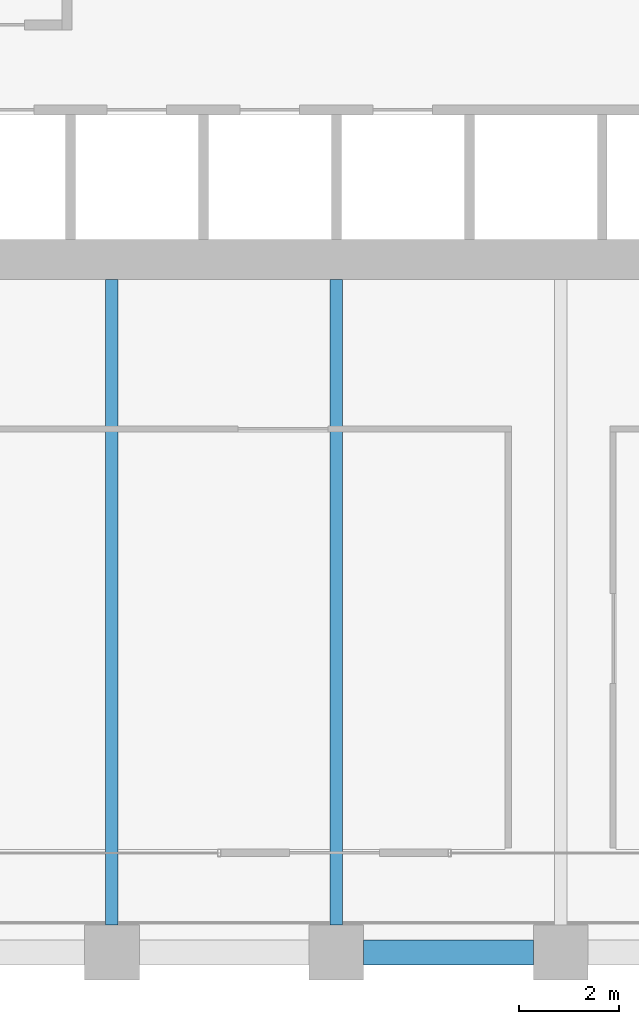
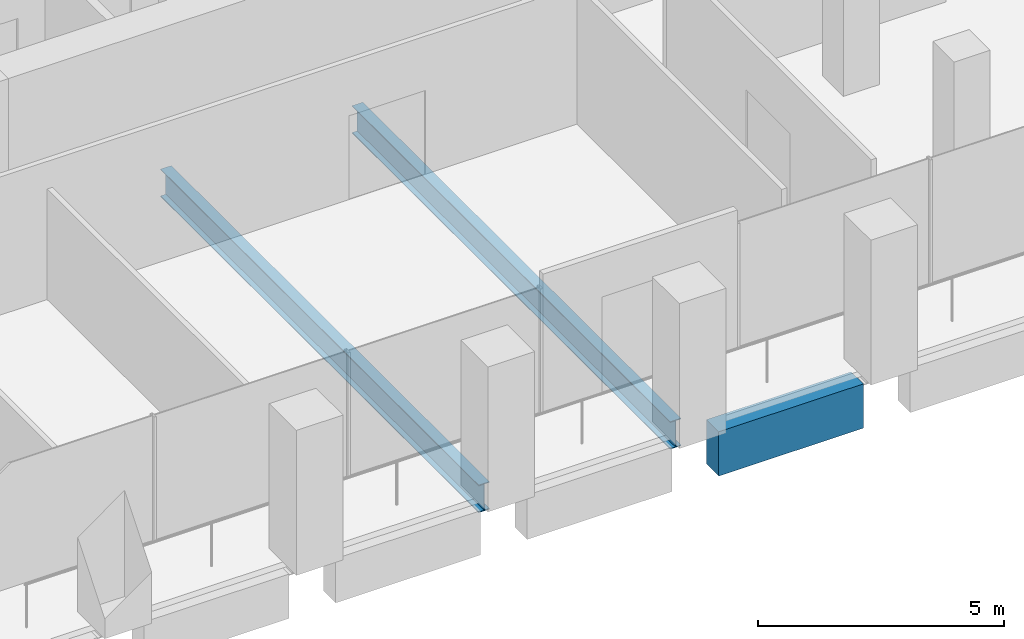
# One storey, part 8 of 54: 3 beams.
"""IFC4 building model written with IfcOpenShell, lengths in metres."""

from ifc_helpers import new_model, si_unit, direction, frame, origin, origin_2d, place, context, subcontext, project, spatial, rectangle, i_section, extrude, material, material_profile, profile_set, type_object, element, save


model = new_model("IFC4")

# Units and contexts
model_context = context("Model", 3, precision=1e-05, world=origin(), true_north=direction((0.0, 1.0)))
body_context = subcontext(model_context, "Body", "Model", "MODEL_VIEW")
ifc_project = project(units=[si_unit("LENGTHUNIT", "METRE"), si_unit("AREAUNIT", "SQUARE_METRE"), si_unit("VOLUMEUNIT", "CUBIC_METRE"), si_unit("PLANEANGLEUNIT", "RADIAN"), si_unit("MASSUNIT", "GRAM", prefix="KILO")], contexts=[model_context])

# Site, building, storey
site_placement = place(None, origin())
site = spatial("IfcSite", under=ifc_project, at=site_placement, CompositionType="ELEMENT")
building_placement = place(site_placement, origin())
building = spatial("IfcBuilding", under=site, at=building_placement, Name="Altepetl Exchange Towers", CompositionType="ELEMENT")
storey_placement = place(building_placement, frame((0.0, 0.0, 58.199951171875)))
storey = spatial("IfcBuildingStorey", under=building, at=storey_placement, Name="L13", CompositionType="ELEMENT", Elevation=58.199951171875)

# Beams
ifc_material_1 = material(Name="Steel S355", Category="steel")
ifc_material_profile_1 = material_profile(ifc_material_1, i_section(OverallWidth=0.25390625, OverallDepth=0.68408203125, WebThickness=0.012451171875, FlangeThickness=0.018798828125, at=origin_2d()), Name="W27X94")
ifc_profile_set_1 = profile_set([ifc_material_profile_1], Name="Steel S355")
beam_type_1 = type_object("IfcBeamType", Name="Floor beam W27X94", PredefinedType="BEAM", material=ifc_profile_set_1)
for number, where, z_axis, x_axis, name in (
    (1, (45.0, 27.550048828125, -0.491943359375), (0.0, 1.0, 0.0), (-1.0, 0.0, 0.0), "bm:A:L13:015"),
    (2, (49.5, 27.550048828125, -0.491943359375), (0.0, 1.0, 0.0), (-1.0, 0.0, 0.0), "bm:A:L13:016"),
):
    element("IfcBeam", number, at=place(storey_placement, frame(where, z_axis=z_axis, x_axis=x_axis)), inside=storey, type_object=beam_type_1, Name=name, PredefinedType="BEAM", context=body_context, shape_type="SweptSolid", body=[
        extrude(i_section(OverallWidth=0.25390625, OverallDepth=0.68408203125, WebThickness=0.012451171875, FlangeThickness=0.018798828125, at=origin_2d()), origin(), (0.0, 0.0, 1.0), 12.949951171875),
    ])
ifc_material_2 = material(Name="Concrete C50/60 precast with cantera blanca facing", Category="concrete")
ifc_material_profile_2 = material_profile(ifc_material_2, rectangle(XDim=0.5, YDim=1.10009765625, at=origin_2d()), Name="500 x 1100")
ifc_profile_set_2 = profile_set([ifc_material_profile_2], Name="Concrete C50/60 precast with cantera blanca facing")
beam_type_2 = type_object("IfcBeamType", Name="Spandrel beam 500x1100 cantera blanca", PredefinedType="SPANDREL", material=ifc_profile_set_2)
beam_placement = place(storey_placement, frame((50.050048828125, 27.0, -0.699951171875), z_axis=(1.0, 0.0, 0.0), x_axis=(0.0, 1.0, 0.0)))
element("IfcBeam", 3, at=beam_placement, inside=storey, type_object=beam_type_2, Name="sp:A:L13:004", PredefinedType="SPANDREL", context=body_context, shape_type="SweptSolid", body=[
    extrude(rectangle(XDim=0.5, YDim=1.10009765625, at=origin_2d()), origin(), (0.0, 0.0, 1.0), 3.39990234375),
])

save(model, "model.ifc")
